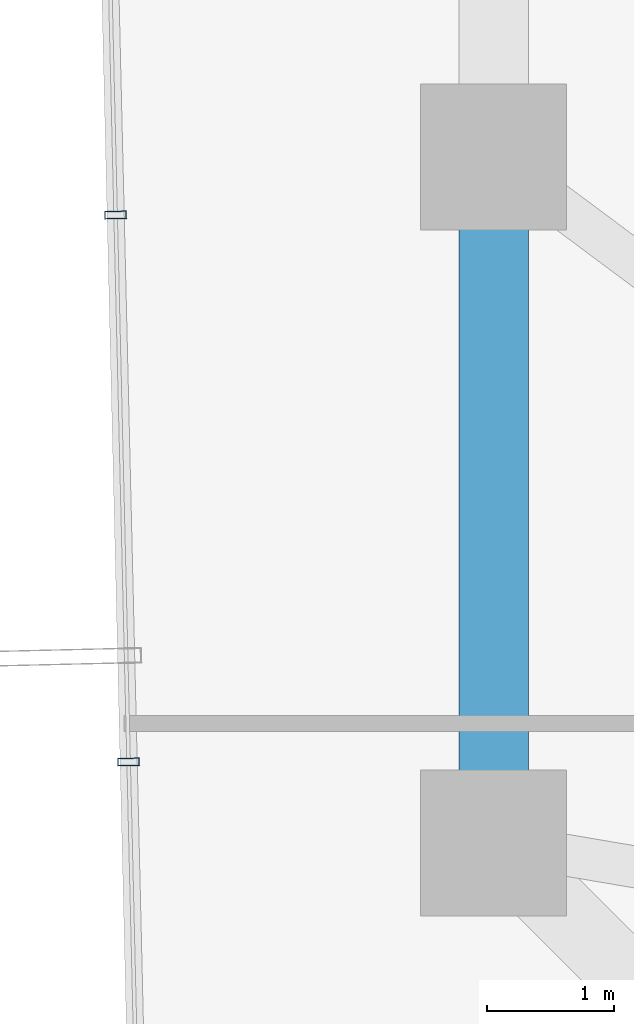
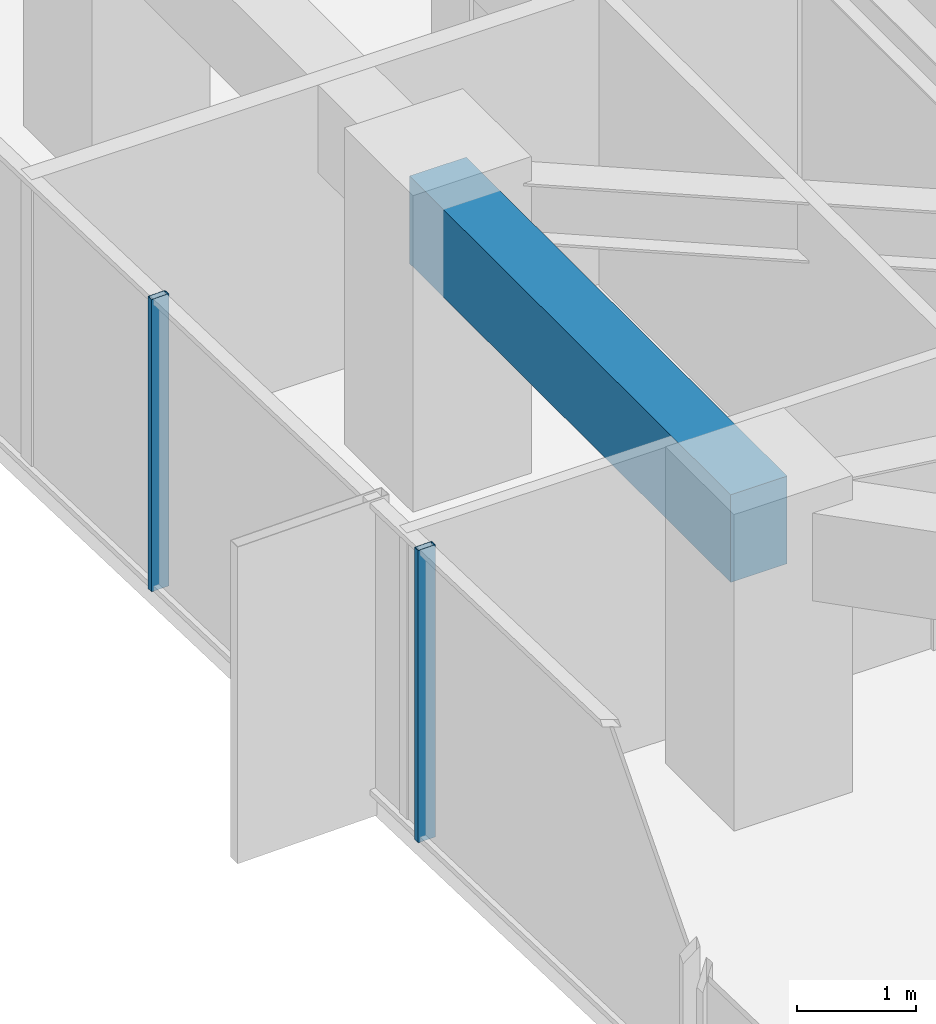
# One storey, part 9 of 31: 2 members, 1 beam, 1 element without a shape of its own.
"""IFC4 building model written with IfcOpenShell, lengths in metres."""

from ifc_helpers import new_model, si_unit, direction, frame, origin, origin_2d, place, context, subcontext, project, spatial, rectangle, hollow_rectangle, extrude, source, transform, mapped, material, layer, layer_set, material_profile, profile_set, type_object, element, aggregate, save


model = new_model("IFC4")

# Units and contexts
model_context = context("Model", 3, precision=1e-05, world=origin(), true_north=direction((0.0, 1.0)))
body_context = subcontext(model_context, "Body", "Model", "MODEL_VIEW")
ifc_project = project(units=[si_unit("LENGTHUNIT", "METRE"), si_unit("AREAUNIT", "SQUARE_METRE"), si_unit("VOLUMEUNIT", "CUBIC_METRE"), si_unit("PLANEANGLEUNIT", "RADIAN"), si_unit("MASSUNIT", "GRAM", prefix="KILO")], contexts=[model_context])

# Site, building, storey
site_placement = place(None, origin())
site = spatial("IfcSite", under=ifc_project, at=site_placement, CompositionType="ELEMENT")
building_placement = place(site_placement, origin())
building = spatial("IfcBuilding", under=site, at=building_placement, Name="Veraguas Prism Commons", CompositionType="ELEMENT")
storey_placement = place(building_placement, frame((0.0, 0.0, 132.75)))
storey = spatial("IfcBuildingStorey", under=building, at=storey_placement, Name="L37", CompositionType="ELEMENT", Elevation=132.75)

# Beam
ifc_material_1 = material(Name="Concrete C50/60", Category="concrete")
ifc_material_profile_1 = material_profile(ifc_material_1, rectangle(XDim=0.550048828125, YDim=0.89990234375, at=origin_2d()), Name="RC550X900")
ifc_profile_set_1 = profile_set([ifc_material_profile_1], Name="Concrete C50/60")
beam_type = type_object("IfcBeamType", Name="Perimeter Spandrel Lower RC 550x900", PredefinedType="SPANDREL", material=ifc_profile_set_1)
beam_placement = place(storey_placement, frame((7.800048828125, 24.0, 2.550048828125), z_axis=(0.0, -1.0, 0.0), x_axis=(1.0, 0.0, 0.0)))
element("IfcBeam", 1, at=beam_placement, inside=storey, type_object=beam_type, Name="Perimeter Spandrel Beam L37-SP08", PredefinedType="SPANDREL", context=body_context, shape_type="SweptSolid", body=[
    extrude(rectangle(XDim=0.550048828125, YDim=0.89990234375, at=origin_2d()), origin(), (0.0, 0.0, 1.0), 5.39990234375),
])

# Curtain wall, members
ifc_material_2 = material(Name="Anodised aluminium EN AW-6063 T6", Category="aluminium")
ifc_layer = layer(ifc_material_2, 0.169921875, Name="Unitised Flush Curtain Wall Zone 2", Category="aluminium")
ifc_layer_set = layer_set([ifc_layer], Name="Anodised aluminium EN AW-6063 T6")
curtain_wall_type = type_object("IfcCurtainWallType", Name="Unitised Flush Curtain Wall Zone 2", PredefinedType="NOTDEFINED", material=ifc_layer_set)
curtain_wall_placement = place(storey_placement, origin())
curtain_wall = element("IfcCurtainWall", 2, at=curtain_wall_placement, inside=storey, type_object=curtain_wall_type, Name="Tower Facade Curtain Wall L37-F3", PredefinedType="NOTDEFINED")
ifc_material_profile_2 = material_profile(ifc_material_2, hollow_rectangle(XDim=0.06005859375, YDim=0.169921875, WallThickness=0.00390625, at=origin_2d()), Name="AL60X170X4")
ifc_profile_set_2 = profile_set([ifc_material_profile_2], Name="Anodised aluminium EN AW-6063 T6")
member_type = type_object("IfcMemberType", Name="Curtain Wall Mullion Lower AL 60x170x4", PredefinedType="MULLION", material=ifc_profile_set_2)
shared_shape = source(origin(), body_context, "Body", "SweptSolid", [
    extrude(hollow_rectangle(XDim=0.06005859375, YDim=0.169921875, WallThickness=0.00390625, at=origin_2d()), origin(), (0.0, 0.0, 1.0), 3.0),
])
member_1_placement = place(storey_placement, frame((4.822998046875, 23.544677734375, 0.0), z_axis=(0.0, 0.0, 1.0), x_axis=(0.023737738629, -0.999718220182, 0.0)))
member_1 = element("IfcMember", 3, at=member_1_placement, type_object=member_type, Name="CW-Z2 Mullion 3", PredefinedType="MULLION", context=body_context, shape_type="MappedRepresentation", body=[
    mapped(shared_shape, transform((0.0, 0.0, 0.0), scale=1.0)),
])
member_2_placement = place(storey_placement, frame((4.92529296875, 19.2373046875, 0.0), z_axis=(0.0, 0.0, 1.0), x_axis=(0.023737738629, -0.999718220182, 0.0)))
member_2 = element("IfcMember", 4, at=member_2_placement, type_object=member_type, Name="CW-Z2 Mullion 4", PredefinedType="MULLION", context=body_context, shape_type="MappedRepresentation", body=[
    mapped(shared_shape, transform((0.0, 0.0, 0.0), scale=1.0)),
])
aggregate(curtain_wall, [member_1, member_2])

save(model, "model.ifc")
